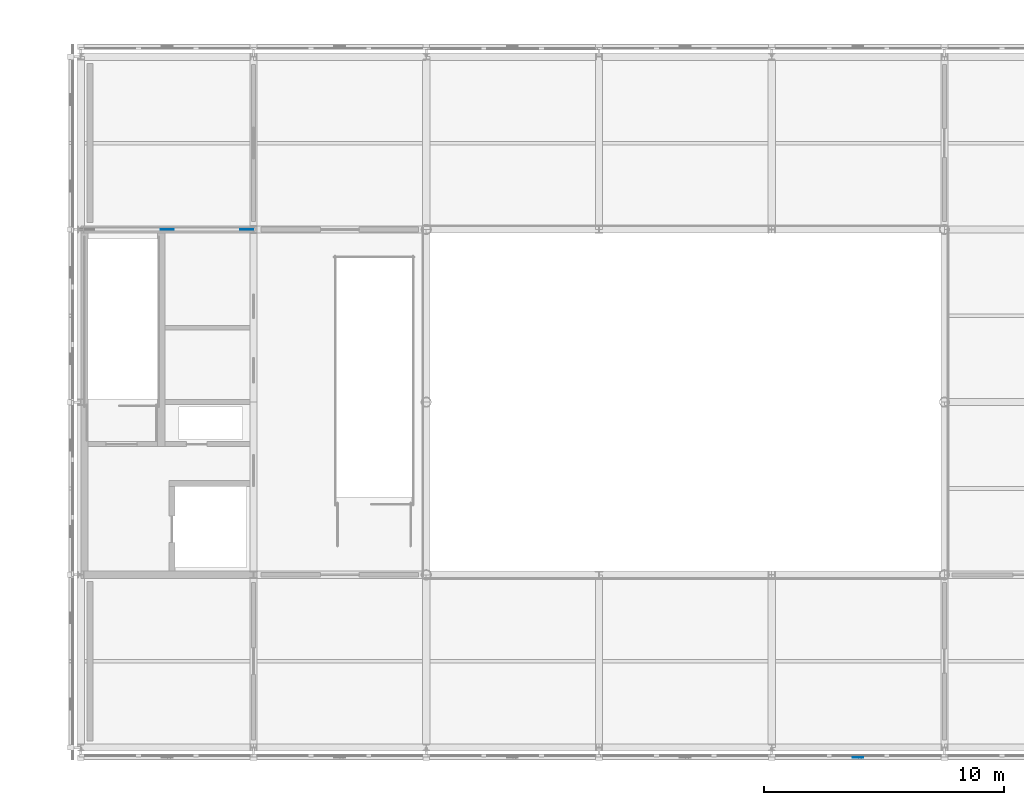
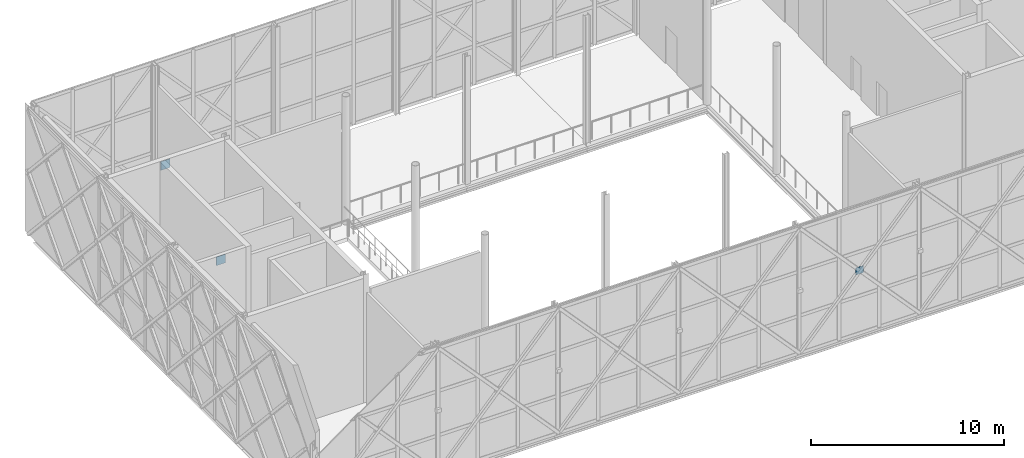
# One storey, part 60 of 76: 3 plates.
"""IFC4 building model written with IfcOpenShell, lengths in metres."""

from ifc_helpers import new_model, si_unit, direction, frame, origin, origin_2d, place, context, subcontext, project, spatial, rectangle, extrude, material, layer, layer_set, type_object, element, save


model = new_model("IFC4")

# Units and contexts
model_context = context("Model", 3, precision=1e-05, world=origin(), true_north=direction((0.0, 1.0)))
body_context = subcontext(model_context, "Body", "Model", "MODEL_VIEW")
ifc_project = project(units=[si_unit("LENGTHUNIT", "METRE"), si_unit("AREAUNIT", "SQUARE_METRE"), si_unit("VOLUMEUNIT", "CUBIC_METRE"), si_unit("PLANEANGLEUNIT", "RADIAN"), si_unit("MASSUNIT", "GRAM", prefix="KILO")], contexts=[model_context])

# Site, building, storey
site_placement = place(None, origin())
site = spatial("IfcSite", under=ifc_project, at=site_placement, CompositionType="ELEMENT")
building_placement = place(site_placement, origin())
building = spatial("IfcBuilding", under=site, at=building_placement, Name="Zlatovets Crest Museum", CompositionType="ELEMENT")
storey_placement = place(building_placement, frame((0.0, 0.0, 17.10009765625)))
storey = spatial("IfcBuildingStorey", under=building, at=storey_placement, Name="L04", CompositionType="ELEMENT", Elevation=17.10009765625)

# Plates
ifc_material = material(Name="Structural steel S355J2", Category="steel")
ifc_layer_1 = layer(ifc_material, 0.02490234375)
ifc_layer_set_1 = layer_set([ifc_layer_1], Name="Structural steel S355J2")
plate_type_1 = type_object("IfcPlateType", Name="Gusset_GP-01", PredefinedType="USERDEFINED", material=ifc_layer_set_1)
for number, where, z_axis, x_axis, name in (
    (1, (64.52001953125, 21.60009765625, 0.0048828125), (0.0, 0.0, 1.0), (1.0, 0.0, 0.0), "V2 L04 Brace End Gusset Plate GP-01"),
    (2, (61.199951171875, 21.60009765625, 7.19482421875), (0.0, 0.0, 1.0), (1.0, 0.0, 0.0), "V2 L04 Brace End Gusset Plate GP-01"),
):
    element("IfcPlate", number, at=place(storey_placement, frame(where, z_axis=z_axis, x_axis=x_axis)), inside=storey, type_object=plate_type_1, Name=name, ObjectType="GUSSET", PredefinedType="USERDEFINED", context=body_context, shape_type="SweptSolid", body=[
        extrude(rectangle(XDim=0.550048828125, YDim=0.02490234375, at=origin_2d()), origin(), (0.0, 0.0, 1.0), 0.550048828125),
    ])
ifc_layer_2 = layer(ifc_material, 0.02001953125)
ifc_layer_set_2 = layer_set([ifc_layer_2], Name="Structural steel S355J2")
plate_type_2 = type_object("IfcPlateType", Name="Gusset_GP-04", PredefinedType="USERDEFINED", material=ifc_layer_set_2)
plate_placement = place(storey_placement, frame((90.0, -0.419921875, 3.82470703125), z_axis=(0.0, 0.0, 1.0), x_axis=(1.0, 0.0, 0.0)))
element("IfcPlate", 3, at=plate_placement, inside=storey, type_object=plate_type_2, Name="X-Brace Crossing Node Gusset Plate GP-04", ObjectType="GUSSET", PredefinedType="USERDEFINED", context=body_context, shape_type="SweptSolid", body=[
    extrude(rectangle(XDim=0.449951171875, YDim=0.02001953125, at=origin_2d()), origin(), (0.0, 0.0, 1.0), 0.449951171875),
])

save(model, "model.ifc")
